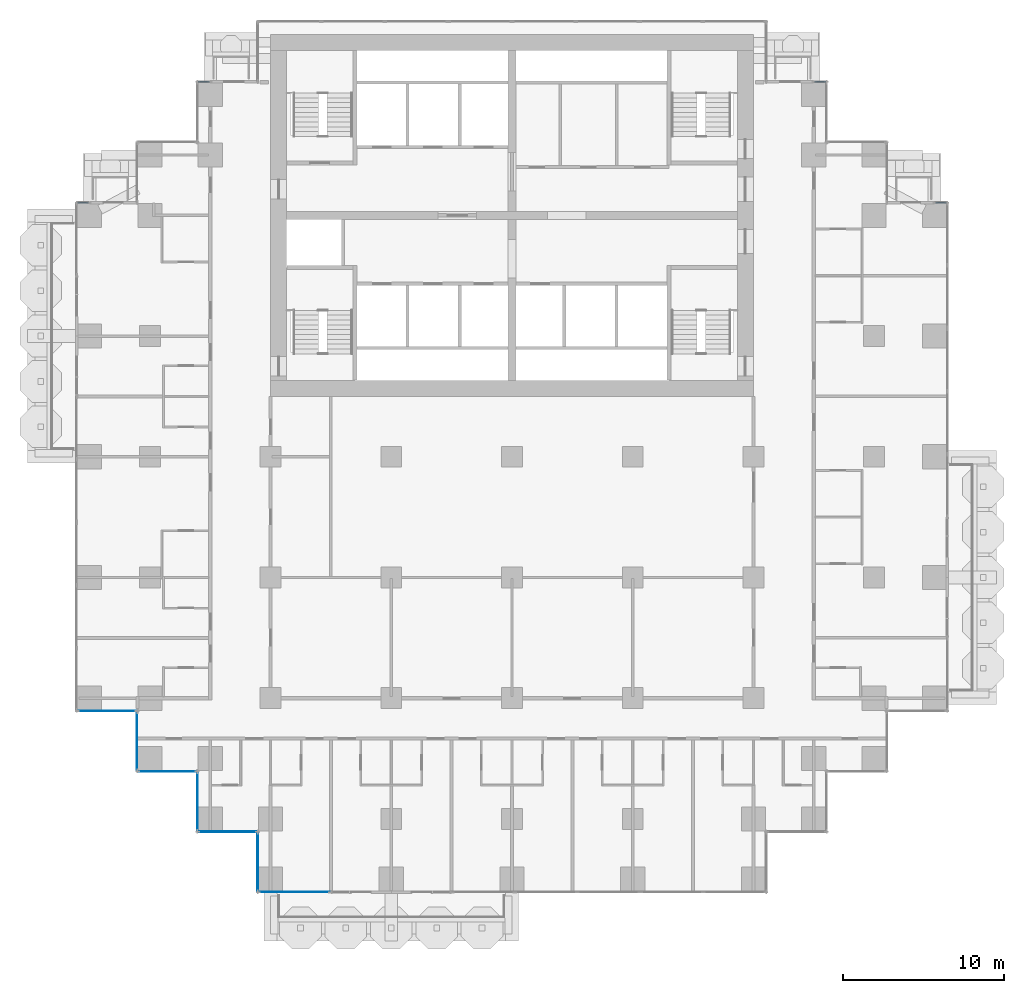
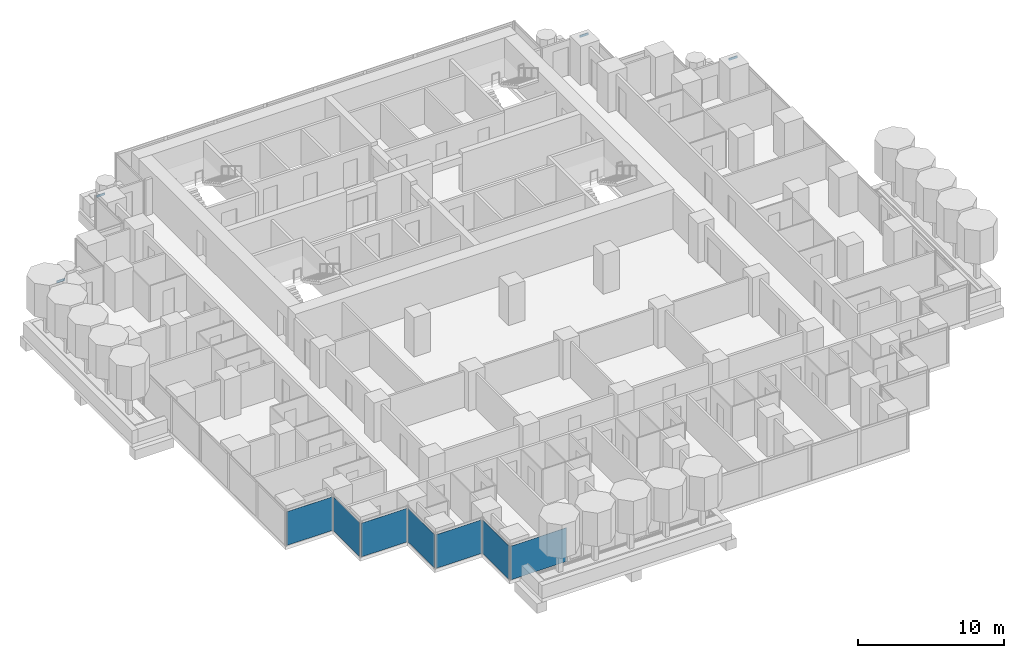
# One storey, part 7 of 19: 7 plates, 4 members, 11 elements without a shape of their own.
"""IFC4 building model written with IfcOpenShell, lengths in metres."""

from ifc_helpers import new_model, si_unit, direction, frame, origin, origin_2d, place, context, subcontext, project, spatial, rectangle, extrude, material, layer, layer_set, material_profile, profile_set, type_object, element, aggregate, save


model = new_model("IFC4")

# Units and contexts
model_context = context("Model", 3, precision=1e-05, world=origin(), true_north=direction((0.0, 1.0)))
body_context = subcontext(model_context, "Body", "Model", "MODEL_VIEW")
ifc_project = project(units=[si_unit("LENGTHUNIT", "METRE"), si_unit("AREAUNIT", "SQUARE_METRE"), si_unit("VOLUMEUNIT", "CUBIC_METRE"), si_unit("PLANEANGLEUNIT", "RADIAN"), si_unit("MASSUNIT", "GRAM", prefix="KILO")], contexts=[model_context])

# Site, building, storey
site_placement = place(None, origin())
site = spatial("IfcSite", under=ifc_project, at=site_placement, CompositionType="ELEMENT")
building_placement = place(site_placement, origin())
building = spatial("IfcBuilding", under=site, at=building_placement, Name="Pilkhan Gate Tower", CompositionType="ELEMENT")
storey_placement = place(building_placement, frame((0.0, 0.0, 89.0)))
storey = spatial("IfcBuildingStorey", under=building, at=storey_placement, Name="L21", CompositionType="ELEMENT", Elevation=89.0)

# Curtain wall, member
ifc_material_1 = material(Name="Pale anodised aluminium, clear low-iron double glazing", Category="aluminium")
curtain_wall_type = type_object("IfcCurtainWallType", Name="Hotel unitised curtain wall CW-H", PredefinedType="USERDEFINED", material=ifc_material_1)
curtain_wall_1_placement = place(storey_placement, origin())
curtain_wall_1 = element("IfcCurtainWall", 1, at=curtain_wall_1_placement, inside=storey, type_object=curtain_wall_type, Name="Hotel unitised curtain wall CW-H L21 N", ObjectType="UNITISED CURTAIN WALL", PredefinedType="USERDEFINED")
ifc_material_2 = material(Name="Pale anodised aluminium", Category="aluminium")
ifc_material_profile = material_profile(ifc_material_2, rectangle(XDim=0.06494140625, YDim=0.179931640625, at=origin_2d()), Name="Transom 180x65")
ifc_profile_set = profile_set([ifc_material_profile], Name="Pale anodised aluminium")
member_type = type_object("IfcMemberType", Name="Transom CW-H 180x65", PredefinedType="USERDEFINED", material=ifc_profile_set)
member_1_placement = place(storey_placement, frame((101.31494140625, 83.294921875, 2.909912109375), z_axis=(1.0, 0.0, 0.0), x_axis=(0.0, 1.0, 0.0)))
member_1 = element("IfcMember", 2, at=member_1_placement, type_object=member_type, Name="CW-H transom 1", ObjectType="TRANSOM", PredefinedType="USERDEFINED", context=body_context, shape_type="SweptSolid", body=[
    extrude(rectangle(XDim=0.06494140625, YDim=0.179931640625, at=origin_2d()), origin(), (0.0, 0.0, 1.0), 0.6650390625),
])
aggregate(curtain_wall_1, [member_1])

curtain_wall_2_placement = place(storey_placement, origin())
curtain_wall_2 = element("IfcCurtainWall", 3, at=curtain_wall_2_placement, inside=storey, type_object=curtain_wall_type, Name="Hotel unitised curtain wall CW-H L21 N", ObjectType="UNITISED CURTAIN WALL", PredefinedType="USERDEFINED")
member_2_placement = place(storey_placement, frame((93.81494140625, 90.794921875, 2.909912109375), z_axis=(1.0, 0.0, 0.0), x_axis=(0.0, 1.0, 0.0)))
member_2 = element("IfcMember", 4, at=member_2_placement, type_object=member_type, Name="CW-H transom 1", ObjectType="TRANSOM", PredefinedType="USERDEFINED", context=body_context, shape_type="SweptSolid", body=[
    extrude(rectangle(XDim=0.06494140625, YDim=0.179931640625, at=origin_2d()), origin(), (0.0, 0.0, 1.0), 0.6650390625),
])
aggregate(curtain_wall_2, [member_2])

curtain_wall_3_placement = place(storey_placement, origin())
curtain_wall_3 = element("IfcCurtainWall", 5, at=curtain_wall_3_placement, inside=storey, type_object=curtain_wall_type, Name="Hotel unitised curtain wall CW-H L21 N", ObjectType="UNITISED CURTAIN WALL", PredefinedType="USERDEFINED")
member_3_placement = place(storey_placement, frame((55.52001953125, 90.794921875, 2.909912109375), z_axis=(1.0, 0.0, 0.0), x_axis=(0.0, 1.0, 0.0)))
member_3 = element("IfcMember", 6, at=member_3_placement, type_object=member_type, Name="CW-H transom 1", ObjectType="TRANSOM", PredefinedType="USERDEFINED", context=body_context, shape_type="SweptSolid", body=[
    extrude(rectangle(XDim=0.06494140625, YDim=0.179931640625, at=origin_2d()), origin(), (0.0, 0.0, 1.0), 0.6650390625),
])
aggregate(curtain_wall_3, [member_3])

curtain_wall_4_placement = place(storey_placement, origin())
curtain_wall_4 = element("IfcCurtainWall", 7, at=curtain_wall_4_placement, inside=storey, type_object=curtain_wall_type, Name="Hotel unitised curtain wall CW-H L21 N", ObjectType="UNITISED CURTAIN WALL", PredefinedType="USERDEFINED")
member_4_placement = place(storey_placement, frame((48.02001953125, 83.294921875, 2.909912109375), z_axis=(1.0, 0.0, 0.0), x_axis=(0.0, 1.0, 0.0)))
member_4 = element("IfcMember", 8, at=member_4_placement, type_object=member_type, Name="CW-H transom 1", ObjectType="TRANSOM", PredefinedType="USERDEFINED", context=body_context, shape_type="SweptSolid", body=[
    extrude(rectangle(XDim=0.06494140625, YDim=0.179931640625, at=origin_2d()), origin(), (0.0, 0.0, 1.0), 0.6650390625),
])
aggregate(curtain_wall_4, [member_4])

# Curtain wall, plate
curtain_wall_5_placement = place(storey_placement, origin())
curtain_wall_5 = element("IfcCurtainWall", 9, at=curtain_wall_5_placement, inside=storey, type_object=curtain_wall_type, Name="Hotel unitised curtain wall CW-H L21 S", ObjectType="UNITISED CURTAIN WALL", PredefinedType="USERDEFINED")
ifc_material_3 = material(Name="Clear low-iron double glazing", Category="glass")
ifc_layer = layer(ifc_material_3, 0.035888671875)
ifc_layer_set = layer_set([ifc_layer], Name="Glass panel CW-H 36")
plate_type = type_object("IfcPlateType", Name="Glass panel CW-H 36", PredefinedType="CURTAIN_PANEL", material=ifc_layer_set)
plate_1_placement = place(storey_placement, frame((49.830078125, 51.705078125, 0.0), z_axis=(0.0, 0.0, 1.0), x_axis=(1.0, 0.0, 0.0)))
plate_1 = element("IfcPlate", 10, at=plate_1_placement, type_object=plate_type, Name="CW-H panel 1", PredefinedType="CURTAIN_PANEL", context=body_context, shape_type="SweptSolid", body=[
    extrude(rectangle(XDim=3.6201171875, YDim=0.035888671875, at=origin_2d()), origin(), (0.0, 0.0, 1.0), 2.820068359375),
])
aggregate(curtain_wall_5, [plate_1])

curtain_wall_6_placement = place(storey_placement, origin())
curtain_wall_6 = element("IfcCurtainWall", 11, at=curtain_wall_6_placement, inside=storey, type_object=curtain_wall_type, Name="Hotel unitised curtain wall CW-H L21 W", ObjectType="UNITISED CURTAIN WALL", PredefinedType="USERDEFINED")
plate_2_placement = place(storey_placement, frame((51.705078125, 49.830078125, 0.0), z_axis=(0.0, 0.0, 1.0), x_axis=(0.0, 1.0, 0.0)))
plate_2 = element("IfcPlate", 12, at=plate_2_placement, type_object=plate_type, Name="CW-H panel 1", PredefinedType="CURTAIN_PANEL", context=body_context, shape_type="SweptSolid", body=[
    extrude(rectangle(XDim=3.6201171875, YDim=0.035888671875, at=origin_2d()), origin(), (0.0, 0.0, 1.0), 2.820068359375),
])
aggregate(curtain_wall_6, [plate_2])

curtain_wall_7_placement = place(storey_placement, origin())
curtain_wall_7 = element("IfcCurtainWall", 13, at=curtain_wall_7_placement, inside=storey, type_object=curtain_wall_type, Name="Hotel unitised curtain wall CW-H L21 S", ObjectType="UNITISED CURTAIN WALL", PredefinedType="USERDEFINED")
plate_3_placement = place(storey_placement, frame((53.580078125, 47.955078125, 0.0), z_axis=(0.0, 0.0, 1.0), x_axis=(1.0, 0.0, 0.0)))
plate_3 = element("IfcPlate", 14, at=plate_3_placement, type_object=plate_type, Name="CW-H panel 1", PredefinedType="CURTAIN_PANEL", context=body_context, shape_type="SweptSolid", body=[
    extrude(rectangle(XDim=3.6201171875, YDim=0.035888671875, at=origin_2d()), origin(), (0.0, 0.0, 1.0), 2.820068359375),
])
aggregate(curtain_wall_7, [plate_3])

curtain_wall_8_placement = place(storey_placement, origin())
curtain_wall_8 = element("IfcCurtainWall", 15, at=curtain_wall_8_placement, inside=storey, type_object=curtain_wall_type, Name="Hotel unitised curtain wall CW-H L21 W", ObjectType="UNITISED CURTAIN WALL", PredefinedType="USERDEFINED")
plate_4_placement = place(storey_placement, frame((55.455078125, 46.080078125, 0.0), z_axis=(0.0, 0.0, 1.0), x_axis=(0.0, 1.0, 0.0)))
plate_4 = element("IfcPlate", 16, at=plate_4_placement, type_object=plate_type, Name="CW-H panel 1", PredefinedType="CURTAIN_PANEL", context=body_context, shape_type="SweptSolid", body=[
    extrude(rectangle(XDim=3.6201171875, YDim=0.035888671875, at=origin_2d()), origin(), (0.0, 0.0, 1.0), 2.820068359375),
])
aggregate(curtain_wall_8, [plate_4])

curtain_wall_9_placement = place(storey_placement, origin())
curtain_wall_9 = element("IfcCurtainWall", 17, at=curtain_wall_9_placement, inside=storey, type_object=curtain_wall_type, Name="Hotel unitised curtain wall CW-H L21 S", ObjectType="UNITISED CURTAIN WALL", PredefinedType="USERDEFINED")
plate_5_placement = place(storey_placement, frame((57.330078125, 44.205078125, 0.0), z_axis=(0.0, 0.0, 1.0), x_axis=(1.0, 0.0, 0.0)))
plate_5 = element("IfcPlate", 18, at=plate_5_placement, type_object=plate_type, Name="CW-H panel 1", PredefinedType="CURTAIN_PANEL", context=body_context, shape_type="SweptSolid", body=[
    extrude(rectangle(XDim=3.6201171875, YDim=0.035888671875, at=origin_2d()), origin(), (0.0, 0.0, 1.0), 2.820068359375),
])
aggregate(curtain_wall_9, [plate_5])

curtain_wall_10_placement = place(storey_placement, origin())
curtain_wall_10 = element("IfcCurtainWall", 19, at=curtain_wall_10_placement, inside=storey, type_object=curtain_wall_type, Name="Hotel unitised curtain wall CW-H L21 W", ObjectType="UNITISED CURTAIN WALL", PredefinedType="USERDEFINED")
plate_6_placement = place(storey_placement, frame((59.205078125, 42.330078125, 0.0), z_axis=(0.0, 0.0, 1.0), x_axis=(0.0, 1.0, 0.0)))
plate_6 = element("IfcPlate", 20, at=plate_6_placement, type_object=plate_type, Name="CW-H panel 1", PredefinedType="CURTAIN_PANEL", context=body_context, shape_type="SweptSolid", body=[
    extrude(rectangle(XDim=3.6201171875, YDim=0.035888671875, at=origin_2d()), origin(), (0.0, 0.0, 1.0), 2.820068359375),
])
aggregate(curtain_wall_10, [plate_6])

curtain_wall_11_placement = place(storey_placement, origin())
curtain_wall_11 = element("IfcCurtainWall", 21, at=curtain_wall_11_placement, inside=storey, type_object=curtain_wall_type, Name="Hotel unitised curtain wall CW-H L21 S", ObjectType="UNITISED CURTAIN WALL", PredefinedType="USERDEFINED")
plate_7_placement = place(storey_placement, frame((61.4775390625, 40.455078125, 0.0), z_axis=(0.0, 0.0, 1.0), x_axis=(1.0, 0.0, 0.0)))
plate_7 = element("IfcPlate", 22, at=plate_7_placement, type_object=plate_type, Name="CW-H panel 1", PredefinedType="CURTAIN_PANEL", context=body_context, shape_type="SweptSolid", body=[
    extrude(rectangle(XDim=4.4150390625, YDim=0.035888671875, at=origin_2d()), origin(), (0.0, 0.0, 1.0), 2.820068359375),
])
aggregate(curtain_wall_11, [plate_7])

save(model, "model.ifc")
